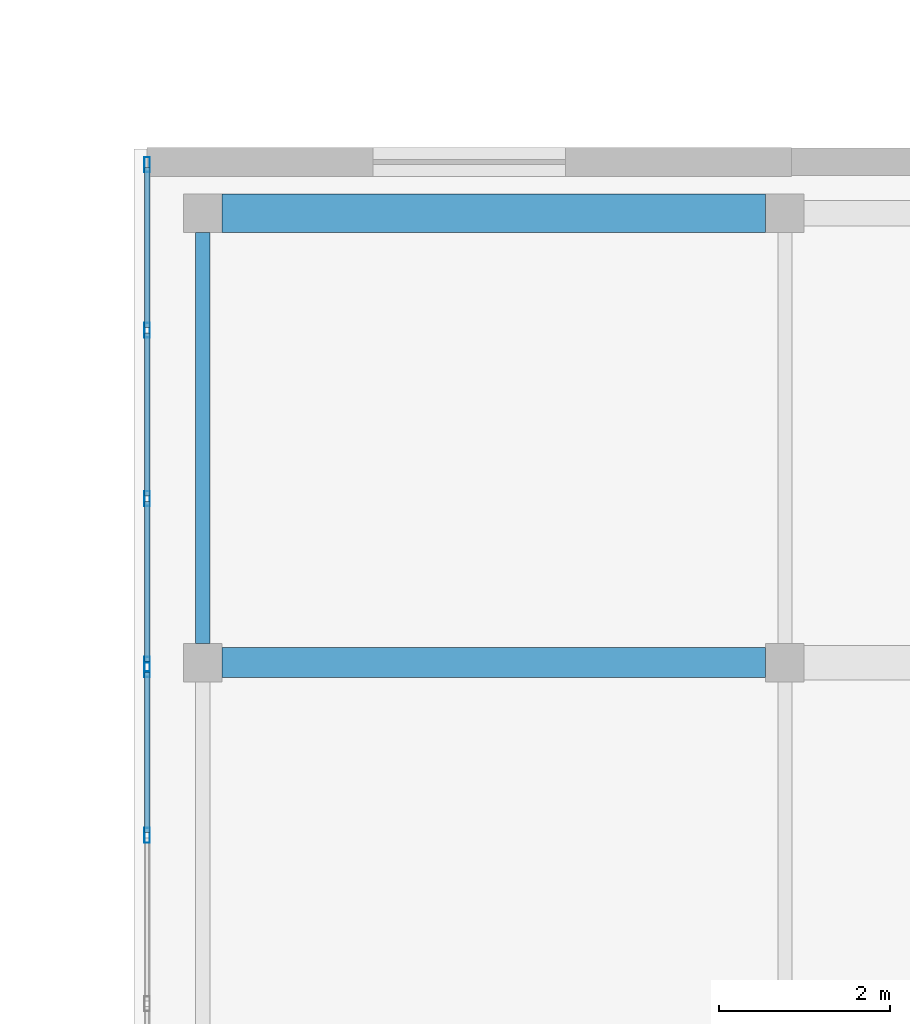
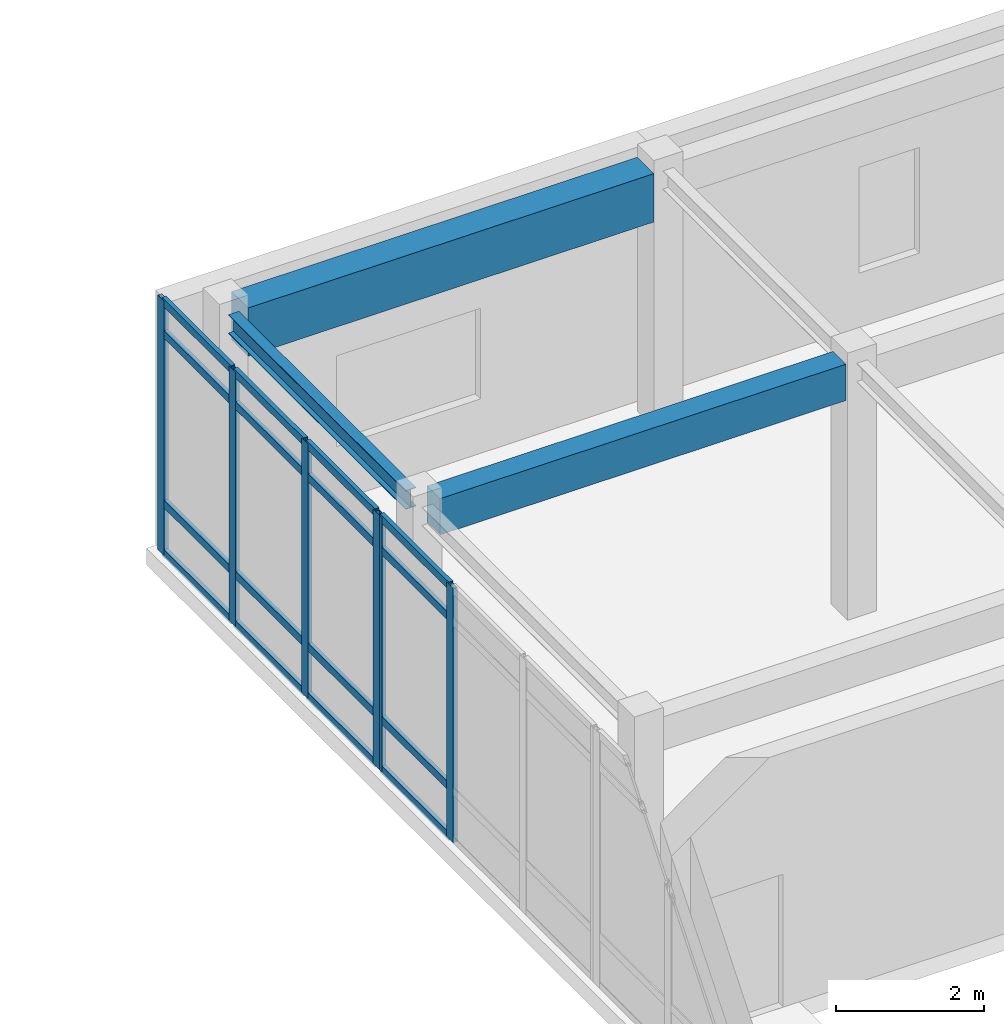
# One storey, part 100 of 142: 22 members, 3 beams, 2 elements without a shape of their own.
"""IFC4 building model written with IfcOpenShell, lengths in metres."""

from ifc_helpers import new_model, si_unit, direction, frame, origin, origin_2d, place, context, subcontext, project, spatial, rectangle, hollow_rectangle, i_section, extrude, material, layer, layer_set, material_profile, profile_set, type_object, element, aggregate, save


model = new_model("IFC4")

# Units and contexts
model_context = context("Model", 3, precision=1e-05, world=origin(), true_north=direction((0.0, 1.0)))
body_context = subcontext(model_context, "Body", "Model", "MODEL_VIEW")
ifc_project = project(units=[si_unit("LENGTHUNIT", "METRE"), si_unit("AREAUNIT", "SQUARE_METRE"), si_unit("VOLUMEUNIT", "CUBIC_METRE"), si_unit("PLANEANGLEUNIT", "RADIAN"), si_unit("MASSUNIT", "GRAM", prefix="KILO")], contexts=[model_context])

# Site, building, storey
site_placement = place(None, origin())
site = spatial("IfcSite", under=ifc_project, at=site_placement, CompositionType="ELEMENT")
building_placement = place(site_placement, origin())
building = spatial("IfcBuilding", under=site, at=building_placement, Name="Valcora Specialist Clinic", CompositionType="ELEMENT")
storey_placement = place(building_placement, frame((0.0, 0.0, 5.10009765625)))
storey = spatial("IfcBuildingStorey", under=building, at=storey_placement, Name="L01", CompositionType="ELEMENT", Elevation=5.10009765625)

# Beams
ifc_material_1 = material(Name="Steel ASTM A992 Grade 50", Category="steel")
ifc_material_profile_1 = material_profile(ifc_material_1, i_section(OverallWidth=0.1650390625, OverallDepth=0.31005859375, WebThickness=0.006103515625, FlangeThickness=0.010009765625, at=origin_2d()), Name="ST-IR-310X165")
ifc_profile_set_1 = profile_set([ifc_material_profile_1], Name="Steel ASTM A992 Grade 50")
beam_type_1 = type_object("IfcBeamType", Name="TY-BM-IR310", PredefinedType="BEAM", material=ifc_profile_set_1)
beam_1_placement = place(storey_placement, frame((132.39990234375, 50.22509765625, 4.046142578125), z_axis=(0.0, 1.0, 0.0), x_axis=(-1.0, 0.0, 0.0)))
element("IfcBeam", 1, at=beam_1_placement, inside=storey, type_object=beam_type_1, Name="Beam BM-L01-0437", PredefinedType="BEAM", context=body_context, shape_type="SweptSolid", body=[
    extrude(i_section(OverallWidth=0.1650390625, OverallDepth=0.31005859375, WebThickness=0.006103515625, FlangeThickness=0.010009765625, at=origin_2d()), origin(), (0.0, 0.0, 1.0), 4.7998046875),
])
ifc_material_2 = material(Name="Concrete C40/50", Category="concrete")
ifc_material_profile_2 = material_profile(ifc_material_2, rectangle(XDim=0.35009765625, YDim=0.60009765625, at=origin_2d()), Name="RC-BM-350X600")
ifc_profile_set_2 = profile_set([ifc_material_profile_2], Name="Concrete C40/50")
beam_type_2 = type_object("IfcBeamType", Name="TY-BM-RC350X600", PredefinedType="BEAM", material=ifc_profile_set_2)
beam_2_placement = place(storey_placement, frame((132.625, 50.0, 3.9052734375), z_axis=(1.0, 0.0, 0.0), x_axis=(0.0, 1.0, 0.0)))
element("IfcBeam", 2, at=beam_2_placement, inside=storey, type_object=beam_type_2, Name="Beam BM-L01-0428", PredefinedType="BEAM", context=body_context, shape_type="SweptSolid", body=[
    extrude(rectangle(XDim=0.35009765625, YDim=0.60009765625, at=origin_2d()), origin(), (0.0, 0.0, 1.0), 6.35009765625),
])
ifc_material_profile_3 = material_profile(ifc_material_2, rectangle(XDim=0.449951171875, YDim=0.800048828125, at=origin_2d()), Name="RC-BM-450X800")
ifc_profile_set_3 = profile_set([ifc_material_profile_3], Name="Concrete C40/50")
beam_type_3 = type_object("IfcBeamType", Name="TY-BM-RC450X800", PredefinedType="BEAM", material=ifc_profile_set_3)
beam_3_placement = place(storey_placement, frame((132.625, 55.25, 3.80517578125), z_axis=(1.0, 0.0, 0.0), x_axis=(0.0, 1.0, 0.0)))
element("IfcBeam", 3, at=beam_3_placement, inside=storey, type_object=beam_type_3, Name="Beam BM-L01-0432", PredefinedType="BEAM", context=body_context, shape_type="SweptSolid", body=[
    extrude(rectangle(XDim=0.449951171875, YDim=0.800048828125, at=origin_2d()), origin(), (0.0, 0.0, 1.0), 6.35009765625),
])

# Curtain wall, members
ifc_material_3 = material(Name="Anodized Bronze Aluminium 6063-T6", Category="aluminium")
ifc_layer = layer(ifc_material_3, 0.175048828125)
ifc_layer_set = layer_set([ifc_layer], Name="Anodized Bronze Aluminium 6063-T6")
curtain_wall_type = type_object("IfcCurtainWallType", Name="TY-CW-HAL18", PredefinedType="NOTDEFINED", material=ifc_layer_set)
curtain_wall_1_placement = place(storey_placement, origin())
curtain_wall_1 = element("IfcCurtainWall", 4, at=curtain_wall_1_placement, inside=storey, type_object=curtain_wall_type, Name="Curtain wall CW-L01-019", PredefinedType="NOTDEFINED")
ifc_material_profile_4 = material_profile(ifc_material_3, hollow_rectangle(XDim=0.06494140625, YDim=0.175048828125, WallThickness=0.00390625, at=origin_2d()), Name="AL-MUL-65X175")
ifc_profile_set_4 = profile_set([ifc_material_profile_4], Name="Anodized Bronze Aluminium 6063-T6")
member_type_1 = type_object("IfcMemberType", Name="TY-CWM-65X175", PredefinedType="MULLION", material=ifc_profile_set_4)
member_1_placement = place(storey_placement, frame((131.75, 47.9833984375, 0.0), z_axis=(0.0, 0.0, 1.0), x_axis=(-1.0, 0.0, 0.0)))
member_1 = element("IfcMember", 5, at=member_1_placement, type_object=member_type_1, Name="CW-HAL-18 mullion 3", PredefinedType="MULLION", context=body_context, shape_type="SweptSolid", body=[
    extrude(hollow_rectangle(XDim=0.06494140625, YDim=0.175048828125, WallThickness=0.00390625, at=origin_2d()), origin(), (0.0, 0.0, 1.0), 4.205322265625),
])
member_2_placement = place(storey_placement, frame((131.75, 49.91748046875, 0.0), z_axis=(0.0, 0.0, 1.0), x_axis=(-1.0, 0.0, 0.0)))
member_2 = element("IfcMember", 6, at=member_2_placement, type_object=member_type_1, Name="CW-HAL-18 mullion 4", PredefinedType="MULLION", context=body_context, shape_type="SweptSolid", body=[
    extrude(hollow_rectangle(XDim=0.06494140625, YDim=0.175048828125, WallThickness=0.00390625, at=origin_2d()), origin(), (0.0, 0.0, 1.0), 4.205322265625),
])

curtain_wall_2_placement = place(storey_placement, origin())
curtain_wall_2 = element("IfcCurtainWall", 7, at=curtain_wall_2_placement, inside=storey, type_object=curtain_wall_type, Name="Curtain wall CW-L01-020", PredefinedType="NOTDEFINED")
member_3_placement = place(storey_placement, frame((131.75, 49.982421875, 0.0), z_axis=(0.0, 0.0, 1.0), x_axis=(-1.0, 0.0, 0.0)))
member_3 = element("IfcMember", 8, at=member_3_placement, type_object=member_type_1, Name="CW-HAL-18 mullion 1", PredefinedType="MULLION", context=body_context, shape_type="SweptSolid", body=[
    extrude(hollow_rectangle(XDim=0.06494140625, YDim=0.175048828125, WallThickness=0.00390625, at=origin_2d()), origin(), (0.0, 0.0, 1.0), 4.205322265625),
])
member_4_placement = place(storey_placement, frame((131.75, 51.916748046875, 0.0), z_axis=(0.0, 0.0, 1.0), x_axis=(-1.0, 0.0, 0.0)))
member_4 = element("IfcMember", 9, at=member_4_placement, type_object=member_type_1, Name="CW-HAL-18 mullion 2", PredefinedType="MULLION", context=body_context, shape_type="SweptSolid", body=[
    extrude(hollow_rectangle(XDim=0.06494140625, YDim=0.175048828125, WallThickness=0.00390625, at=origin_2d()), origin(), (0.0, 0.0, 1.0), 4.205322265625),
])
member_5_placement = place(storey_placement, frame((131.75, 53.88330078125, 0.0), z_axis=(0.0, 0.0, 1.0), x_axis=(-1.0, 0.0, 0.0)))
member_5 = element("IfcMember", 10, at=member_5_placement, type_object=member_type_1, Name="CW-HAL-18 mullion 3", PredefinedType="MULLION", context=body_context, shape_type="SweptSolid", body=[
    extrude(hollow_rectangle(XDim=0.06494140625, YDim=0.175048828125, WallThickness=0.00390625, at=origin_2d()), origin(), (0.0, 0.0, 1.0), 4.205322265625),
])
member_6_placement = place(storey_placement, frame((131.75, 55.8173828125, 0.0), z_axis=(0.0, 0.0, 1.0), x_axis=(-1.0, 0.0, 0.0)))
member_6 = element("IfcMember", 11, at=member_6_placement, type_object=member_type_1, Name="CW-HAL-18 mullion 4", PredefinedType="MULLION", context=body_context, shape_type="SweptSolid", body=[
    extrude(hollow_rectangle(XDim=0.06494140625, YDim=0.175048828125, WallThickness=0.00390625, at=origin_2d()), origin(), (0.0, 0.0, 1.0), 4.205322265625),
])

# Member
ifc_material_profile_5 = material_profile(ifc_material_3, hollow_rectangle(XDim=0.06494140625, YDim=0.1298828125, WallThickness=0.00390625, at=origin_2d()), Name="AL-TRN-65X130")
ifc_profile_set_5 = profile_set([ifc_material_profile_5], Name="Anodized Bronze Aluminium 6063-T6")
member_type_2 = type_object("IfcMemberType", Name="TY-CWT-65X130", PredefinedType="USERDEFINED", material=ifc_profile_set_5)
member_7_placement = place(storey_placement, frame((131.75, 48.015869140625, 0.032470703125), z_axis=(0.0, 1.0, 0.0), x_axis=(-1.0, 0.0, 0.0)))
member_7 = element("IfcMember", 12, at=member_7_placement, type_object=member_type_2, Name="CW-HAL-18 transom 3.1", ObjectType="TRANSOM", PredefinedType="USERDEFINED", context=body_context, shape_type="SweptSolid", body=[
    extrude(hollow_rectangle(XDim=0.06494140625, YDim=0.1298828125, WallThickness=0.00390625, at=origin_2d()), origin(), (0.0, 0.0, 1.0), 1.869140625),
])

member_8_placement = place(storey_placement, frame((131.75, 48.015869140625, 0.849853515625), z_axis=(0.0, 1.0, 0.0), x_axis=(-1.0, 0.0, 0.0)))
member_8 = element("IfcMember", 13, at=member_8_placement, type_object=member_type_2, Name="CW-HAL-18 transom 3.2", ObjectType="TRANSOM", PredefinedType="USERDEFINED", context=body_context, shape_type="SweptSolid", body=[
    extrude(hollow_rectangle(XDim=0.06494140625, YDim=0.1298828125, WallThickness=0.00390625, at=origin_2d()), origin(), (0.0, 0.0, 1.0), 1.869140625),
])

member_9_placement = place(storey_placement, frame((131.75, 48.015869140625, 3.65478515625), z_axis=(0.0, 1.0, 0.0), x_axis=(-1.0, 0.0, 0.0)))
member_9 = element("IfcMember", 14, at=member_9_placement, type_object=member_type_2, Name="CW-HAL-18 transom 3.3", ObjectType="TRANSOM", PredefinedType="USERDEFINED", context=body_context, shape_type="SweptSolid", body=[
    extrude(hollow_rectangle(XDim=0.06494140625, YDim=0.1298828125, WallThickness=0.00390625, at=origin_2d()), origin(), (0.0, 0.0, 1.0), 1.869140625),
])

member_10_placement = place(storey_placement, frame((131.75, 48.015869140625, 4.172607421875), z_axis=(0.0, 1.0, 0.0), x_axis=(-1.0, 0.0, 0.0)))
member_10 = element("IfcMember", 15, at=member_10_placement, type_object=member_type_2, Name="CW-HAL-18 transom 3.4", ObjectType="TRANSOM", PredefinedType="USERDEFINED", context=body_context, shape_type="SweptSolid", body=[
    extrude(hollow_rectangle(XDim=0.06494140625, YDim=0.1298828125, WallThickness=0.00390625, at=origin_2d()), origin(), (0.0, 0.0, 1.0), 1.869140625),
])

aggregate(curtain_wall_1, [member_1, member_2, member_7, member_8, member_9, member_10])

member_11_placement = place(storey_placement, frame((131.75, 50.014892578125, 0.032470703125), z_axis=(0.0, 1.0, 0.0), x_axis=(-1.0, 0.0, 0.0)))
member_11 = element("IfcMember", 16, at=member_11_placement, type_object=member_type_2, Name="CW-HAL-18 transom 1.1", ObjectType="TRANSOM", PredefinedType="USERDEFINED", context=body_context, shape_type="SweptSolid", body=[
    extrude(hollow_rectangle(XDim=0.06494140625, YDim=0.1298828125, WallThickness=0.00390625, at=origin_2d()), origin(), (0.0, 0.0, 1.0), 1.869384765625),
])

member_12_placement = place(storey_placement, frame((131.75, 50.014892578125, 0.849853515625), z_axis=(0.0, 1.0, 0.0), x_axis=(-1.0, 0.0, 0.0)))
member_12 = element("IfcMember", 17, at=member_12_placement, type_object=member_type_2, Name="CW-HAL-18 transom 1.2", ObjectType="TRANSOM", PredefinedType="USERDEFINED", context=body_context, shape_type="SweptSolid", body=[
    extrude(hollow_rectangle(XDim=0.06494140625, YDim=0.1298828125, WallThickness=0.00390625, at=origin_2d()), origin(), (0.0, 0.0, 1.0), 1.869384765625),
])

member_13_placement = place(storey_placement, frame((131.75, 50.014892578125, 3.65478515625), z_axis=(0.0, 1.0, 0.0), x_axis=(-1.0, 0.0, 0.0)))
member_13 = element("IfcMember", 18, at=member_13_placement, type_object=member_type_2, Name="CW-HAL-18 transom 1.3", ObjectType="TRANSOM", PredefinedType="USERDEFINED", context=body_context, shape_type="SweptSolid", body=[
    extrude(hollow_rectangle(XDim=0.06494140625, YDim=0.1298828125, WallThickness=0.00390625, at=origin_2d()), origin(), (0.0, 0.0, 1.0), 1.869384765625),
])

member_14_placement = place(storey_placement, frame((131.75, 50.014892578125, 4.172607421875), z_axis=(0.0, 1.0, 0.0), x_axis=(-1.0, 0.0, 0.0)))
member_14 = element("IfcMember", 19, at=member_14_placement, type_object=member_type_2, Name="CW-HAL-18 transom 1.4", ObjectType="TRANSOM", PredefinedType="USERDEFINED", context=body_context, shape_type="SweptSolid", body=[
    extrude(hollow_rectangle(XDim=0.06494140625, YDim=0.1298828125, WallThickness=0.00390625, at=origin_2d()), origin(), (0.0, 0.0, 1.0), 1.869384765625),
])

member_15_placement = place(storey_placement, frame((131.75, 51.94921875, 0.032470703125), z_axis=(0.0, 1.0, 0.0), x_axis=(-1.0, 0.0, 0.0)))
member_15 = element("IfcMember", 20, at=member_15_placement, type_object=member_type_2, Name="CW-HAL-18 transom 2.1", ObjectType="TRANSOM", PredefinedType="USERDEFINED", context=body_context, shape_type="SweptSolid", body=[
    extrude(hollow_rectangle(XDim=0.06494140625, YDim=0.1298828125, WallThickness=0.00390625, at=origin_2d()), origin(), (0.0, 0.0, 1.0), 1.901611328125),
])

member_16_placement = place(storey_placement, frame((131.75, 51.94921875, 0.849853515625), z_axis=(0.0, 1.0, 0.0), x_axis=(-1.0, 0.0, 0.0)))
member_16 = element("IfcMember", 21, at=member_16_placement, type_object=member_type_2, Name="CW-HAL-18 transom 2.2", ObjectType="TRANSOM", PredefinedType="USERDEFINED", context=body_context, shape_type="SweptSolid", body=[
    extrude(hollow_rectangle(XDim=0.06494140625, YDim=0.1298828125, WallThickness=0.00390625, at=origin_2d()), origin(), (0.0, 0.0, 1.0), 1.901611328125),
])

member_17_placement = place(storey_placement, frame((131.75, 51.94921875, 3.65478515625), z_axis=(0.0, 1.0, 0.0), x_axis=(-1.0, 0.0, 0.0)))
member_17 = element("IfcMember", 22, at=member_17_placement, type_object=member_type_2, Name="CW-HAL-18 transom 2.3", ObjectType="TRANSOM", PredefinedType="USERDEFINED", context=body_context, shape_type="SweptSolid", body=[
    extrude(hollow_rectangle(XDim=0.06494140625, YDim=0.1298828125, WallThickness=0.00390625, at=origin_2d()), origin(), (0.0, 0.0, 1.0), 1.901611328125),
])

member_18_placement = place(storey_placement, frame((131.75, 51.94921875, 4.172607421875), z_axis=(0.0, 1.0, 0.0), x_axis=(-1.0, 0.0, 0.0)))
member_18 = element("IfcMember", 23, at=member_18_placement, type_object=member_type_2, Name="CW-HAL-18 transom 2.4", ObjectType="TRANSOM", PredefinedType="USERDEFINED", context=body_context, shape_type="SweptSolid", body=[
    extrude(hollow_rectangle(XDim=0.06494140625, YDim=0.1298828125, WallThickness=0.00390625, at=origin_2d()), origin(), (0.0, 0.0, 1.0), 1.901611328125),
])

member_19_placement = place(storey_placement, frame((131.75, 53.915771484375, 0.032470703125), z_axis=(0.0, 1.0, 0.0), x_axis=(-1.0, 0.0, 0.0)))
member_19 = element("IfcMember", 24, at=member_19_placement, type_object=member_type_2, Name="CW-HAL-18 transom 3.1", ObjectType="TRANSOM", PredefinedType="USERDEFINED", context=body_context, shape_type="SweptSolid", body=[
    extrude(hollow_rectangle(XDim=0.06494140625, YDim=0.1298828125, WallThickness=0.00390625, at=origin_2d()), origin(), (0.0, 0.0, 1.0), 1.869140625),
])

member_20_placement = place(storey_placement, frame((131.75, 53.915771484375, 0.849853515625), z_axis=(0.0, 1.0, 0.0), x_axis=(-1.0, 0.0, 0.0)))
member_20 = element("IfcMember", 25, at=member_20_placement, type_object=member_type_2, Name="CW-HAL-18 transom 3.2", ObjectType="TRANSOM", PredefinedType="USERDEFINED", context=body_context, shape_type="SweptSolid", body=[
    extrude(hollow_rectangle(XDim=0.06494140625, YDim=0.1298828125, WallThickness=0.00390625, at=origin_2d()), origin(), (0.0, 0.0, 1.0), 1.869140625),
])

member_21_placement = place(storey_placement, frame((131.75, 53.915771484375, 3.65478515625), z_axis=(0.0, 1.0, 0.0), x_axis=(-1.0, 0.0, 0.0)))
member_21 = element("IfcMember", 26, at=member_21_placement, type_object=member_type_2, Name="CW-HAL-18 transom 3.3", ObjectType="TRANSOM", PredefinedType="USERDEFINED", context=body_context, shape_type="SweptSolid", body=[
    extrude(hollow_rectangle(XDim=0.06494140625, YDim=0.1298828125, WallThickness=0.00390625, at=origin_2d()), origin(), (0.0, 0.0, 1.0), 1.869140625),
])

member_22_placement = place(storey_placement, frame((131.75, 53.915771484375, 4.172607421875), z_axis=(0.0, 1.0, 0.0), x_axis=(-1.0, 0.0, 0.0)))
member_22 = element("IfcMember", 27, at=member_22_placement, type_object=member_type_2, Name="CW-HAL-18 transom 3.4", ObjectType="TRANSOM", PredefinedType="USERDEFINED", context=body_context, shape_type="SweptSolid", body=[
    extrude(hollow_rectangle(XDim=0.06494140625, YDim=0.1298828125, WallThickness=0.00390625, at=origin_2d()), origin(), (0.0, 0.0, 1.0), 1.869140625),
])

aggregate(curtain_wall_2, [member_3, member_4, member_5, member_6, member_11, member_12, member_13, member_14, member_15, member_16, member_17, member_18, member_19, member_20, member_21, member_22])

save(model, "model.ifc")
